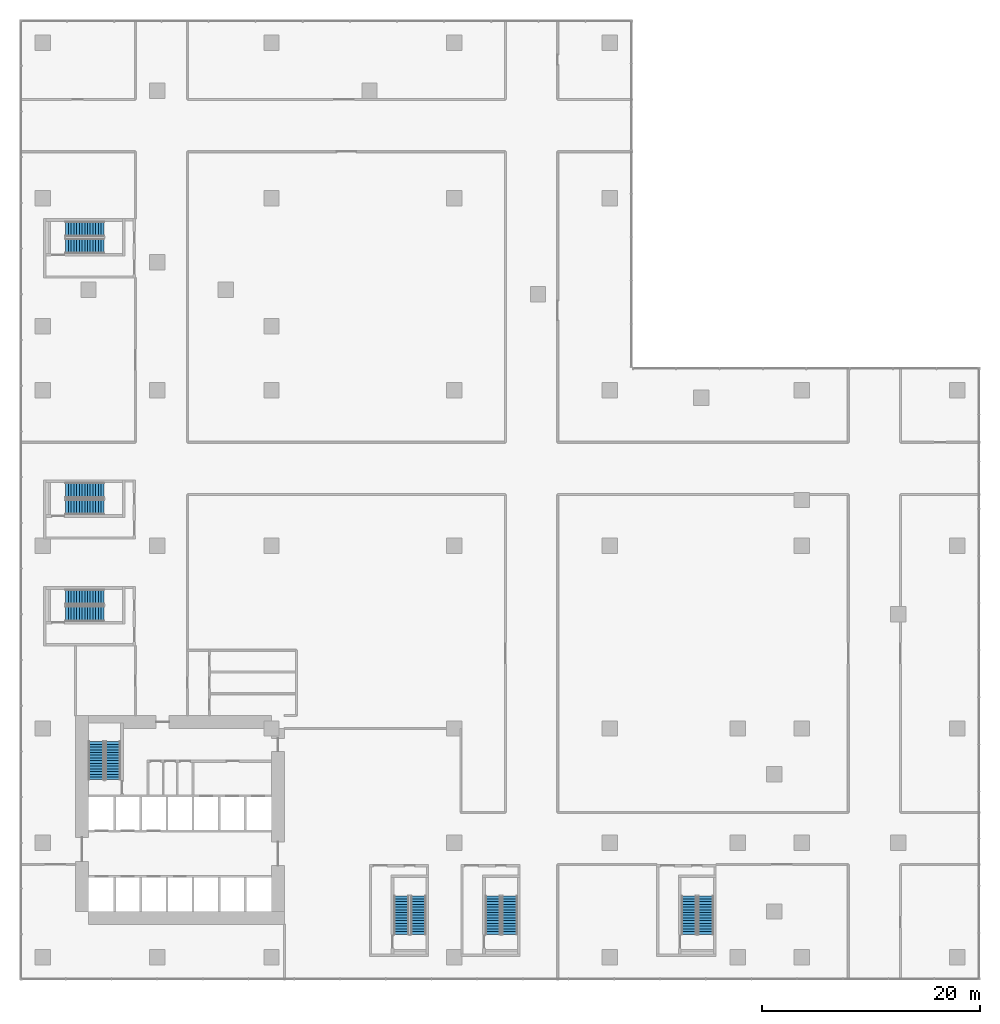
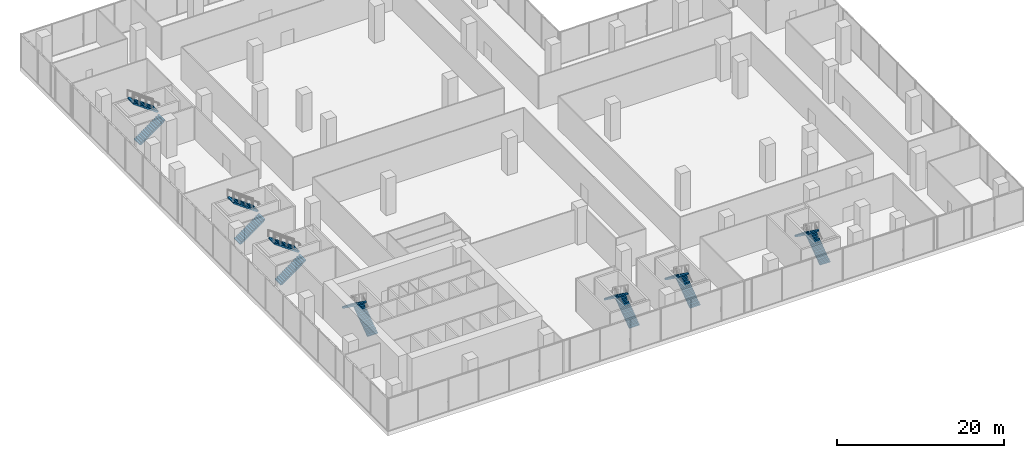
# One storey, part 18 of 22: 14 stair flights, 7 elements without a shape of their own.
"""IFC4 building model written with IfcOpenShell, lengths in metres."""

from ifc_helpers import new_model, si_unit, direction, frame, origin, place, context, subcontext, project, spatial, polyline, outline, extrude, source, transform, mapped, material, type_object, element, aggregate, save


model = new_model("IFC4")

# Units and contexts
model_context = context("Model", 3, precision=1e-05, world=origin(), true_north=direction((0.0, 1.0)))
body_context = subcontext(model_context, "Body", "Model", "MODEL_VIEW")
ifc_project = project(units=[si_unit("LENGTHUNIT", "METRE"), si_unit("AREAUNIT", "SQUARE_METRE"), si_unit("VOLUMEUNIT", "CUBIC_METRE"), si_unit("PLANEANGLEUNIT", "RADIAN"), si_unit("MASSUNIT", "GRAM", prefix="KILO")], contexts=[model_context])

# Site, building, storey
site_placement = place(None, origin())
site = spatial("IfcSite", under=ifc_project, at=site_placement, CompositionType="ELEMENT")
building_placement = place(site_placement, origin())
building = spatial("IfcBuilding", under=site, at=building_placement, Name="Aurelian Terraces", CompositionType="ELEMENT")
storey_placement = place(building_placement, frame((0.0, 0.0, 7.5)))
storey = spatial("IfcBuildingStorey", under=building, at=storey_placement, Name="L01", CompositionType="ELEMENT", Elevation=7.5)

# Stair, stair flights
ifc_material = material(Name="Concrete fc' 40 MPa", Category="concrete")
stair_type = type_object("IfcStairType", Name="Stair 1400", PredefinedType="HALF_TURN_STAIR", material=ifc_material)
stair_1_placement = place(storey_placement, origin())
stair_1 = element("IfcStair", 1, at=stair_1_placement, inside=storey, type_object=stair_type, Name="L01 S1", PredefinedType="HALF_TURN_STAIR")
stair_flight_type = type_object("IfcStairFlightType", Name="Stair flight 1400", PredefinedType="STRAIGHT", material=ifc_material)
stair_flight_1_placement = place(storey_placement, frame((6.45, 16.3, 2e-08), z_axis=(0.0, 0.0, 1.0), x_axis=(0.0, 1.0, 0.0)))
stair_flight_1 = element("IfcStairFlight", 2, at=stair_flight_1_placement, type_object=stair_flight_type, Name="S1 flight 1", NumberOfRisers=15, NumberOfTreads=14, PredefinedType="STRAIGHT", RiserHeight=0.18, TreadLength=0.25, context=body_context, shape_type="SweptSolid", body=[
    extrude(outline(polyline([(0.0, 0.0), (0.0, 0.18), (0.25, 0.18), (0.25, 0.36), (0.5, 0.36), (0.5, 0.54), (0.75, 0.54), (0.75, 0.72), (1.0, 0.72), (1.0, 0.9), (1.25, 0.9), (1.25, 1.08), (1.5, 1.08), (1.5, 1.26), (1.75, 1.26), (1.75, 1.44), (2.0, 1.44), (2.0, 1.62), (2.25, 1.62), (2.25, 1.8), (2.5, 1.8), (2.5, 1.98), (2.75, 1.98), (2.75, 2.16), (3.0, 2.16), (3.0, 2.34), (3.25, 2.34), (3.25, 2.52), (3.5, 2.52), (3.5, 2.7), (3.5, 2.3352), (0.2567, 0.0), (0.0, 0.0)])), frame((0.0, 0.7, 0.0), z_axis=(0.0, -1.0, 0.0), x_axis=(1.0, 0.0, 0.0)), (0.0, 0.0, 1.0), 1.4),
])
shared_shape = source(origin(), body_context, "Body", "SweptSolid", [
    extrude(outline(polyline([(0.0, 0.0), (0.0, 0.18), (0.25, 0.18), (0.25, 0.36), (0.5, 0.36), (0.5, 0.54), (0.75, 0.54), (0.75, 0.72), (1.0, 0.72), (1.0, 0.9), (1.25, 0.9), (1.25, 1.08), (1.5, 1.08), (1.5, 1.26), (1.75, 1.26), (1.75, 1.44), (2.0, 1.44), (2.0, 1.62), (2.25, 1.62), (2.25, 1.8), (2.5, 1.8), (2.5, 1.98), (2.75, 1.98), (2.75, 2.16), (3.0, 2.16), (3.0, 2.34), (3.25, 2.34), (3.25, 2.52), (3.5, 2.52), (3.5, 2.7), (3.5, 2.3352), (0.2567, 0.0), (0.0, 0.0)])), frame((0.0, 0.7, 0.0), z_axis=(0.0, -1.0, 0.0), x_axis=(1.0, 0.0, 0.0)), (0.0, 0.0, 1.0), 1.4),
])
stair_flight_2_placement = place(storey_placement, frame((4.9, 19.8, 2.700000019999999), z_axis=(0.0, 0.0, 1.0), x_axis=(0.0, -1.0, 0.0)))
stair_flight_2 = element("IfcStairFlight", 3, at=stair_flight_2_placement, type_object=stair_flight_type, Name="S1 flight 2", NumberOfRisers=15, NumberOfTreads=14, PredefinedType="STRAIGHT", RiserHeight=0.18, TreadLength=0.25, context=body_context, shape_type="MappedRepresentation", body=[
    mapped(shared_shape, transform((0.0, 0.0, 0.0), scale=1.0)),
])
aggregate(stair_1, [stair_flight_1, stair_flight_2])

stair_2_placement = place(storey_placement, origin())
stair_2 = element("IfcStair", 4, at=stair_2_placement, inside=storey, type_object=stair_type, Name="L01 S2", PredefinedType="HALF_TURN_STAIR")
stair_flight_3_placement = place(storey_placement, frame((42.9, 2.1, 2e-08), z_axis=(0.0, 0.0, 1.0), x_axis=(0.0, 1.0, 0.0)))
stair_flight_3 = element("IfcStairFlight", 5, at=stair_flight_3_placement, type_object=stair_flight_type, Name="S2 flight 1", NumberOfRisers=15, NumberOfTreads=14, PredefinedType="STRAIGHT", RiserHeight=0.18, TreadLength=0.25, context=body_context, shape_type="MappedRepresentation", body=[
    mapped(shared_shape, transform((0.0, 0.0, 0.0), scale=1.0)),
])
stair_flight_4_placement = place(storey_placement, frame((41.35, 5.6, 2.700000019999999), z_axis=(0.0, 0.0, 1.0), x_axis=(0.0, -1.0, 0.0)))
stair_flight_4 = element("IfcStairFlight", 6, at=stair_flight_4_placement, type_object=stair_flight_type, Name="S2 flight 2", NumberOfRisers=15, NumberOfTreads=14, PredefinedType="STRAIGHT", RiserHeight=0.18, TreadLength=0.25, context=body_context, shape_type="MappedRepresentation", body=[
    mapped(shared_shape, transform((0.0, 0.0, 0.0), scale=1.0)),
])
aggregate(stair_2, [stair_flight_3, stair_flight_4])

stair_3_placement = place(storey_placement, origin())
stair_3 = element("IfcStair", 7, at=stair_3_placement, inside=storey, type_object=stair_type, Name="L01 S3", PredefinedType="HALF_TURN_STAIR")
stair_flight_5_placement = place(storey_placement, frame((2.1, 41.35, 2e-08), z_axis=(0.0, 0.0, 1.0), x_axis=(1.0, 0.0, 0.0)))
stair_flight_5 = element("IfcStairFlight", 8, at=stair_flight_5_placement, type_object=stair_flight_type, Name="S3 flight 1", NumberOfRisers=15, NumberOfTreads=14, PredefinedType="STRAIGHT", RiserHeight=0.18, TreadLength=0.25, context=body_context, shape_type="MappedRepresentation", body=[
    mapped(shared_shape, transform((0.0, 0.0, 0.0), scale=1.0)),
])
stair_flight_6_placement = place(storey_placement, frame((5.6, 42.9, 2.700000019999999), z_axis=(0.0, 0.0, 1.0), x_axis=(-1.0, 0.0, 0.0)))
stair_flight_6 = element("IfcStairFlight", 9, at=stair_flight_6_placement, type_object=stair_flight_type, Name="S3 flight 2", NumberOfRisers=15, NumberOfTreads=14, PredefinedType="STRAIGHT", RiserHeight=0.18, TreadLength=0.25, context=body_context, shape_type="MappedRepresentation", body=[
    mapped(shared_shape, transform((0.0, 0.0, 0.0), scale=1.0)),
])
aggregate(stair_3, [stair_flight_5, stair_flight_6])

stair_4_placement = place(storey_placement, origin())
stair_4 = element("IfcStair", 10, at=stair_4_placement, inside=storey, type_object=stair_type, Name="L01 S4", PredefinedType="HALF_TURN_STAIR")
stair_flight_7_placement = place(storey_placement, frame((2.1, 31.55, 2e-08), z_axis=(0.0, 0.0, 1.0), x_axis=(1.0, 0.0, 0.0)))
stair_flight_7 = element("IfcStairFlight", 11, at=stair_flight_7_placement, type_object=stair_flight_type, Name="S4 flight 1", NumberOfRisers=15, NumberOfTreads=14, PredefinedType="STRAIGHT", RiserHeight=0.18, TreadLength=0.25, context=body_context, shape_type="MappedRepresentation", body=[
    mapped(shared_shape, transform((0.0, 0.0, 0.0), scale=1.0)),
])
stair_flight_8_placement = place(storey_placement, frame((5.6, 33.1, 2.700000019999999), z_axis=(0.0, 0.0, 1.0), x_axis=(-1.0, 0.0, 0.0)))
stair_flight_8 = element("IfcStairFlight", 12, at=stair_flight_8_placement, type_object=stair_flight_type, Name="S4 flight 2", NumberOfRisers=15, NumberOfTreads=14, PredefinedType="STRAIGHT", RiserHeight=0.18, TreadLength=0.25, context=body_context, shape_type="MappedRepresentation", body=[
    mapped(shared_shape, transform((0.0, 0.0, 0.0), scale=1.0)),
])
aggregate(stair_4, [stair_flight_7, stair_flight_8])

stair_5_placement = place(storey_placement, origin())
stair_5 = element("IfcStair", 13, at=stair_5_placement, inside=storey, type_object=stair_type, Name="L01 S5", PredefinedType="HALF_TURN_STAIR")
stair_flight_9_placement = place(storey_placement, frame((2.1, 65.35, 2e-08), z_axis=(0.0, 0.0, 1.0), x_axis=(1.0, 0.0, 0.0)))
stair_flight_9 = element("IfcStairFlight", 14, at=stair_flight_9_placement, type_object=stair_flight_type, Name="S5 flight 1", NumberOfRisers=15, NumberOfTreads=14, PredefinedType="STRAIGHT", RiserHeight=0.18, TreadLength=0.25, context=body_context, shape_type="MappedRepresentation", body=[
    mapped(shared_shape, transform((0.0, 0.0, 0.0), scale=1.0)),
])
stair_flight_10_placement = place(storey_placement, frame((5.6, 66.9, 2.700000019999999), z_axis=(0.0, 0.0, 1.0), x_axis=(-1.0, 0.0, 0.0)))
stair_flight_10 = element("IfcStairFlight", 15, at=stair_flight_10_placement, type_object=stair_flight_type, Name="S5 flight 2", NumberOfRisers=15, NumberOfTreads=14, PredefinedType="STRAIGHT", RiserHeight=0.18, TreadLength=0.25, context=body_context, shape_type="MappedRepresentation", body=[
    mapped(shared_shape, transform((0.0, 0.0, 0.0), scale=1.0)),
])
aggregate(stair_5, [stair_flight_9, stair_flight_10])

stair_6_placement = place(storey_placement, origin())
stair_6 = element("IfcStair", 16, at=stair_6_placement, inside=storey, type_object=stair_type, Name="L01 S6", PredefinedType="HALF_TURN_STAIR")
stair_flight_11_placement = place(storey_placement, frame((60.9, 2.1, 2e-08), z_axis=(0.0, 0.0, 1.0), x_axis=(0.0, 1.0, 0.0)))
stair_flight_11 = element("IfcStairFlight", 17, at=stair_flight_11_placement, type_object=stair_flight_type, Name="S6 flight 1", NumberOfRisers=15, NumberOfTreads=14, PredefinedType="STRAIGHT", RiserHeight=0.18, TreadLength=0.25, context=body_context, shape_type="MappedRepresentation", body=[
    mapped(shared_shape, transform((0.0, 0.0, 0.0), scale=1.0)),
])
stair_flight_12_placement = place(storey_placement, frame((59.35, 5.6, 2.700000019999999), z_axis=(0.0, 0.0, 1.0), x_axis=(0.0, -1.0, 0.0)))
stair_flight_12 = element("IfcStairFlight", 18, at=stair_flight_12_placement, type_object=stair_flight_type, Name="S6 flight 2", NumberOfRisers=15, NumberOfTreads=14, PredefinedType="STRAIGHT", RiserHeight=0.18, TreadLength=0.25, context=body_context, shape_type="MappedRepresentation", body=[
    mapped(shared_shape, transform((0.0, 0.0, 0.0), scale=1.0)),
])
aggregate(stair_6, [stair_flight_11, stair_flight_12])

stair_7_placement = place(storey_placement, origin())
stair_7 = element("IfcStair", 19, at=stair_7_placement, inside=storey, type_object=stair_type, Name="L01 S7", PredefinedType="HALF_TURN_STAIR")
stair_flight_13_placement = place(storey_placement, frame((34.5, 2.1, 2e-08), z_axis=(0.0, 0.0, 1.0), x_axis=(0.0, 1.0, 0.0)))
stair_flight_13 = element("IfcStairFlight", 20, at=stair_flight_13_placement, type_object=stair_flight_type, Name="S7 flight 1", NumberOfRisers=15, NumberOfTreads=14, PredefinedType="STRAIGHT", RiserHeight=0.18, TreadLength=0.25, context=body_context, shape_type="MappedRepresentation", body=[
    mapped(shared_shape, transform((0.0, 0.0, 0.0), scale=1.0)),
])
stair_flight_14_placement = place(storey_placement, frame((32.95, 5.6, 2.700000019999999), z_axis=(0.0, 0.0, 1.0), x_axis=(0.0, -1.0, 0.0)))
stair_flight_14 = element("IfcStairFlight", 21, at=stair_flight_14_placement, type_object=stair_flight_type, Name="S7 flight 2", NumberOfRisers=15, NumberOfTreads=14, PredefinedType="STRAIGHT", RiserHeight=0.18, TreadLength=0.25, context=body_context, shape_type="MappedRepresentation", body=[
    mapped(shared_shape, transform((0.0, 0.0, 0.0), scale=1.0)),
])
aggregate(stair_7, [stair_flight_13, stair_flight_14])

save(model, "model.ifc")
